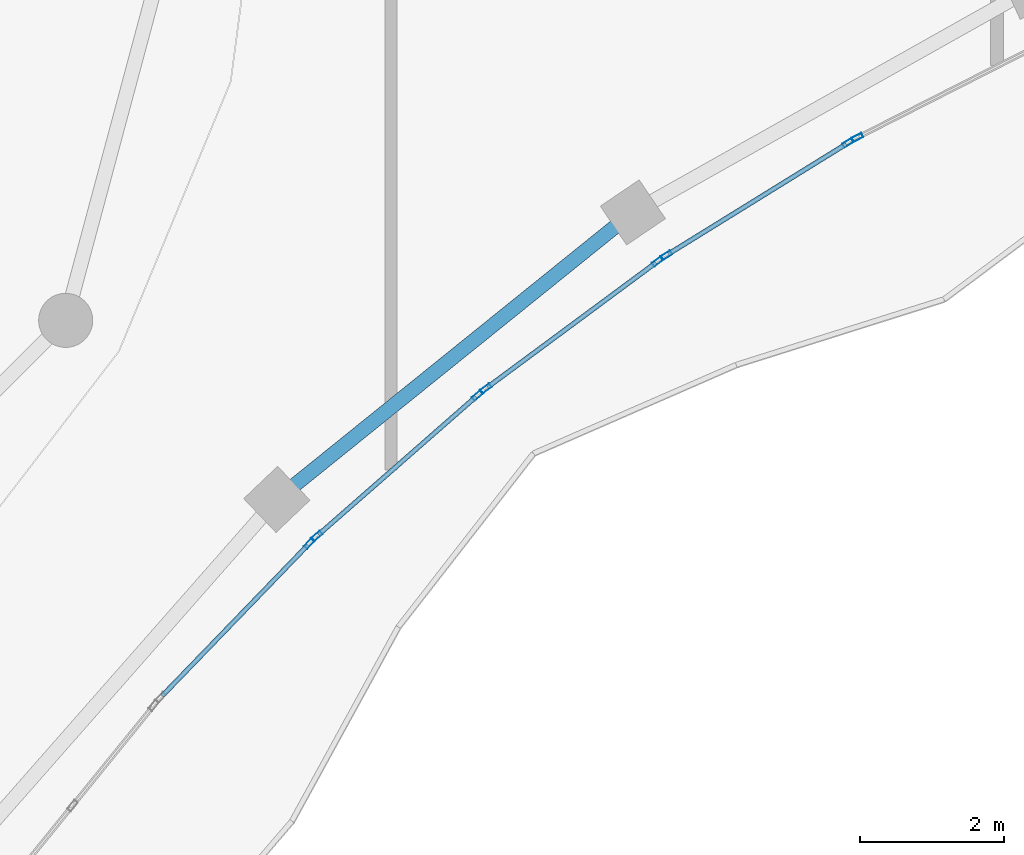
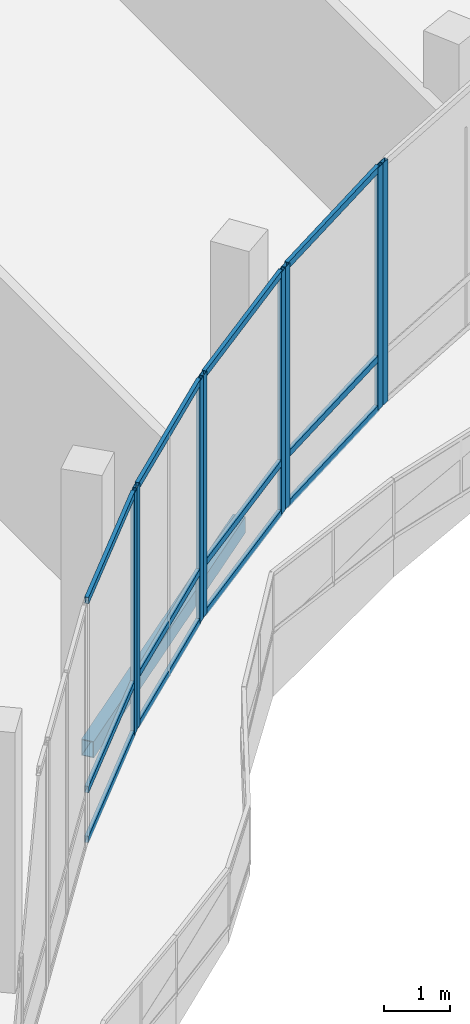
# One storey, part 52 of 155: 20 members, 1 beam, 5 elements without a shape of their own.
"""IFC4 building model written with IfcOpenShell, lengths in metres."""

from ifc_helpers import new_model, si_unit, direction, frame, origin, origin_2d, place, context, subcontext, project, spatial, hollow_rectangle, extrude, material, material_profile, profile_set, type_object, element, aggregate, save


model = new_model("IFC4")

# Units and contexts
model_context = context("Model", 3, precision=1e-05, world=origin(), true_north=direction((0.0, 1.0)))
body_context = subcontext(model_context, "Body", "Model", "MODEL_VIEW")
ifc_project = project(units=[si_unit("LENGTHUNIT", "METRE"), si_unit("AREAUNIT", "SQUARE_METRE"), si_unit("VOLUMEUNIT", "CUBIC_METRE"), si_unit("PLANEANGLEUNIT", "RADIAN"), si_unit("MASSUNIT", "GRAM", prefix="KILO")], contexts=[model_context])

# Site, building, storey
site_placement = place(None, origin())
site = spatial("IfcSite", under=ifc_project, at=site_placement, CompositionType="ELEMENT")
building_placement = place(site_placement, origin())
building = spatial("IfcBuilding", under=site, at=building_placement, Name="Selatvlak General Hospital", CompositionType="ELEMENT")
storey_placement = place(building_placement, frame((0.0, 0.0, 10.199951171875)))
storey = spatial("IfcBuildingStorey", under=building, at=storey_placement, Name="L02", CompositionType="ELEMENT", Elevation=10.199951171875)

# Beam
ifc_material_1 = material(Name="Steel S355", Category="steel")
ifc_material_profile_1 = material_profile(ifc_material_1, hollow_rectangle(XDim=0.199951171875, YDim=0.300048828125, WallThickness=0.011962890625, at=origin_2d()), Name="RHS 300x200x12")
ifc_profile_set_1 = profile_set([ifc_material_profile_1], Name="Steel S355")
beam_type = type_object("IfcBeamType", Name="BM-SP3", PredefinedType="SPANDREL", material=ifc_profile_set_1)
beam_placement = place(storey_placement, frame((113.614990234375, 44.19189453125, -0.5048828125), z_axis=(0.778568955278, 0.627559066444, 0.0), x_axis=(-0.627559066444, 0.778568955278, 0.0)))
element("IfcBeam", 1, at=beam_placement, inside=storey, type_object=beam_type, Name="Beam BMR-L02-1148", PredefinedType="SPANDREL", context=body_context, shape_type="SweptSolid", body=[
    extrude(hollow_rectangle(XDim=0.199951171875, YDim=0.300048828125, WallThickness=0.011962890625, at=origin_2d()), origin(), (0.0, 0.0, 1.0), 6.34228515625),
])

# Curtain wall, member
ifc_material_2 = material(Name="Solar-control Low-E double glazing", Category="glass")
curtain_wall_type_1 = type_object("IfcCurtainWallType", Name="CW-CW-01", PredefinedType="USERDEFINED", material=ifc_material_2)
curtain_wall_1_placement = place(storey_placement, origin())
curtain_wall_1 = element("IfcCurtainWall", 2, at=curtain_wall_1_placement, inside=storey, type_object=curtain_wall_type_1, Name="Glazed facade curtain wall CW-L02-0289", ObjectType="UNITISED CURTAIN WALL", PredefinedType="USERDEFINED")
ifc_material_3 = material(Name="Dark anodised aluminium mullion", Category="aluminium")
ifc_material_profile_2 = material_profile(ifc_material_3, hollow_rectangle(XDim=0.06494140625, YDim=0.159912109375, WallThickness=0.00390625, at=origin_2d()), Name="AL-MUL 65x160x4")
ifc_profile_set_2 = profile_set([ifc_material_profile_2], Name="Dark anodised aluminium mullion")
member_type_1 = type_object("IfcMemberType", Name="CWM-01", PredefinedType="MULLION", material=ifc_profile_set_2)
member_1_placement = place(storey_placement, frame((121.6640625, 49.209716796875, 0.0), z_axis=(0.0, 0.0, 1.0), x_axis=(0.453135718509, -0.89144154077, 0.0)))
member_1 = element("IfcMember", 3, at=member_1_placement, type_object=member_type_1, Name="CW-01 mullion 2", PredefinedType="MULLION", context=body_context, shape_type="SweptSolid", body=[
    extrude(hollow_rectangle(XDim=0.06494140625, YDim=0.159912109375, WallThickness=0.00390625, at=origin_2d()), origin(), (0.0, 0.0, 1.0), 4.4599609375),
])
aggregate(curtain_wall_1, [member_1])

# Curtain wall, members
curtain_wall_type_2 = type_object("IfcCurtainWallType", Name="CW-CW-02", PredefinedType="USERDEFINED", material=ifc_material_2)
curtain_wall_2_placement = place(storey_placement, origin())
curtain_wall_2 = element("IfcCurtainWall", 4, at=curtain_wall_2_placement, inside=storey, type_object=curtain_wall_type_2, Name="Glazed facade curtain wall CW-L02-0290", ObjectType="UNITISED CURTAIN WALL", PredefinedType="USERDEFINED")
member_2_placement = place(storey_placement, frame((121.538330078125, 49.136962890625, 0.0), z_axis=(0.0, 0.0, 1.0), x_axis=(0.526047826435, -0.850454986641, 0.0)))
member_2 = element("IfcMember", 5, at=member_2_placement, type_object=member_type_1, Name="CW-02 mullion 1", PredefinedType="MULLION", context=body_context, shape_type="SweptSolid", body=[
    extrude(hollow_rectangle(XDim=0.06494140625, YDim=0.159912109375, WallThickness=0.00390625, at=origin_2d()), origin(), (0.0, 0.0, 1.0), 4.4599609375),
])
member_3_placement = place(storey_placement, frame((119.0166015625, 47.5771484375, 0.0), z_axis=(0.0, 0.0, 1.0), x_axis=(0.526047826435, -0.850454986641, 0.0)))
member_3 = element("IfcMember", 6, at=member_3_placement, type_object=member_type_1, Name="CW-02 mullion 2", PredefinedType="MULLION", context=body_context, shape_type="SweptSolid", body=[
    extrude(hollow_rectangle(XDim=0.06494140625, YDim=0.159912109375, WallThickness=0.00390625, at=origin_2d()), origin(), (0.0, 0.0, 1.0), 4.4599609375),
])

curtain_wall_3_placement = place(storey_placement, origin())
curtain_wall_3 = element("IfcCurtainWall", 7, at=curtain_wall_3_placement, inside=storey, type_object=curtain_wall_type_1, Name="Glazed facade curtain wall CW-L02-0291", ObjectType="UNITISED CURTAIN WALL", PredefinedType="USERDEFINED")
member_4_placement = place(storey_placement, frame((118.89794921875, 47.49365234375, 0.0), z_axis=(0.0, 0.0, 1.0), x_axis=(0.594604312607, -0.804018477045, 0.0)))
member_4 = element("IfcMember", 8, at=member_4_placement, type_object=member_type_1, Name="CW-01 mullion 1", PredefinedType="MULLION", context=body_context, shape_type="SweptSolid", body=[
    extrude(hollow_rectangle(XDim=0.06494140625, YDim=0.159912109375, WallThickness=0.00390625, at=origin_2d()), origin(), (0.0, 0.0, 1.0), 4.4599609375),
])
member_5_placement = place(storey_placement, frame((116.51220703125, 45.729248046875, 0.0), z_axis=(0.0, 0.0, 1.0), x_axis=(0.594604312607, -0.804018477045, 0.0)))
member_5 = element("IfcMember", 9, at=member_5_placement, type_object=member_type_1, Name="CW-01 mullion 2", PredefinedType="MULLION", context=body_context, shape_type="SweptSolid", body=[
    extrude(hollow_rectangle(XDim=0.06494140625, YDim=0.159912109375, WallThickness=0.00390625, at=origin_2d()), origin(), (0.0, 0.0, 1.0), 4.4599609375),
])

curtain_wall_4_placement = place(storey_placement, origin())
curtain_wall_4 = element("IfcCurtainWall", 10, at=curtain_wall_4_placement, inside=storey, type_object=curtain_wall_type_2, Name="Glazed facade curtain wall CW-L02-0292", ObjectType="UNITISED CURTAIN WALL", PredefinedType="USERDEFINED")
member_6_placement = place(storey_placement, frame((116.400634765625, 45.636474609375, 0.0), z_axis=(0.0, 0.0, 1.0), x_axis=(0.658878257256, -0.752249587647, 0.0)))
member_6 = element("IfcMember", 11, at=member_6_placement, type_object=member_type_1, Name="CW-02 mullion 1", PredefinedType="MULLION", context=body_context, shape_type="SweptSolid", body=[
    extrude(hollow_rectangle(XDim=0.06494140625, YDim=0.159912109375, WallThickness=0.00390625, at=origin_2d()), origin(), (0.0, 0.0, 1.0), 4.4599609375),
])
member_7_placement = place(storey_placement, frame((114.16943359375, 43.682373046875, 0.0), z_axis=(0.0, 0.0, 1.0), x_axis=(0.658878257256, -0.752249587647, 0.0)))
member_7 = element("IfcMember", 12, at=member_7_placement, type_object=member_type_1, Name="CW-02 mullion 2", PredefinedType="MULLION", context=body_context, shape_type="SweptSolid", body=[
    extrude(hollow_rectangle(XDim=0.06494140625, YDim=0.159912109375, WallThickness=0.00390625, at=origin_2d()), origin(), (0.0, 0.0, 1.0), 4.4599609375),
])

# Curtain wall, member
curtain_wall_5_placement = place(storey_placement, origin())
curtain_wall_5 = element("IfcCurtainWall", 13, at=curtain_wall_5_placement, inside=storey, type_object=curtain_wall_type_1, Name="Glazed facade curtain wall CW-L02-0293", ObjectType="UNITISED CURTAIN WALL", PredefinedType="USERDEFINED")
member_8_placement = place(storey_placement, frame((114.06640625, 43.58056640625, 0.0), z_axis=(0.0, 0.0, 1.0), x_axis=(0.719196973261, -0.694806241805, 0.0)))
member_8 = element("IfcMember", 14, at=member_8_placement, type_object=member_type_1, Name="CW-01 mullion 1", PredefinedType="MULLION", context=body_context, shape_type="SweptSolid", body=[
    extrude(hollow_rectangle(XDim=0.06494140625, YDim=0.159912109375, WallThickness=0.00390625, at=origin_2d()), origin(), (0.0, 0.0, 1.0), 4.4599609375),
])

# Member
ifc_material_profile_3 = material_profile(ifc_material_3, hollow_rectangle(XDim=0.06494140625, YDim=0.1201171875, WallThickness=0.00390625, at=origin_2d()), Name="AL-TRN 65x120x4")
ifc_profile_set_3 = profile_set([ifc_material_profile_3], Name="Dark anodised aluminium mullion")
member_type_2 = type_object("IfcMemberType", Name="CWT-01", PredefinedType="USERDEFINED", material=ifc_profile_set_3)
member_9_placement = place(storey_placement, frame((121.5107421875, 49.119873046875, 0.032470703125), z_axis=(-0.850462425048, -0.526035800666, 0.0), x_axis=(0.526035800666, -0.850462425048, 0.0)))
member_9 = element("IfcMember", 15, at=member_9_placement, type_object=member_type_2, Name="CW-02 transom 1.1", ObjectType="TRANSOM", PredefinedType="USERDEFINED", context=body_context, shape_type="SweptSolid", body=[
    extrude(hollow_rectangle(XDim=0.06494140625, YDim=0.1201171875, WallThickness=0.00390625, at=origin_2d()), origin(), (0.0, 0.0, 1.0), 2.900146484375),
])

member_10_placement = place(storey_placement, frame((121.5107421875, 49.119873046875, 0.949951171875), z_axis=(-0.850462425048, -0.526035800666, 0.0), x_axis=(0.526035800666, -0.850462425048, 0.0)))
member_10 = element("IfcMember", 16, at=member_10_placement, type_object=member_type_2, Name="CW-02 transom 1.2", ObjectType="TRANSOM", PredefinedType="USERDEFINED", context=body_context, shape_type="SweptSolid", body=[
    extrude(hollow_rectangle(XDim=0.06494140625, YDim=0.1201171875, WallThickness=0.00390625, at=origin_2d()), origin(), (0.0, 0.0, 1.0), 2.900146484375),
])

member_11_placement = place(storey_placement, frame((121.5107421875, 49.119873046875, 4.427490234375), z_axis=(-0.850462425048, -0.526035800666, 0.0), x_axis=(0.526035800666, -0.850462425048, 0.0)))
member_11 = element("IfcMember", 17, at=member_11_placement, type_object=member_type_2, Name="CW-02 transom 1.3", ObjectType="TRANSOM", PredefinedType="USERDEFINED", context=body_context, shape_type="SweptSolid", body=[
    extrude(hollow_rectangle(XDim=0.06494140625, YDim=0.1201171875, WallThickness=0.00390625, at=origin_2d()), origin(), (0.0, 0.0, 1.0), 2.900146484375),
])

aggregate(curtain_wall_2, [member_2, member_3, member_9, member_10, member_11])

member_12_placement = place(storey_placement, frame((118.871826171875, 47.474365234375, 0.032470703125), z_axis=(-0.80399954052, -0.594629917549, 0.0), x_axis=(0.594629917549, -0.80399954052, 0.0)))
member_12 = element("IfcMember", 18, at=member_12_placement, type_object=member_type_2, Name="CW-01 transom 1.1", ObjectType="TRANSOM", PredefinedType="USERDEFINED", context=body_context, shape_type="SweptSolid", body=[
    extrude(hollow_rectangle(XDim=0.06494140625, YDim=0.1201171875, WallThickness=0.00390625, at=origin_2d()), origin(), (0.0, 0.0, 1.0), 2.90234375),
])

member_13_placement = place(storey_placement, frame((118.871826171875, 47.474365234375, 0.949951171875), z_axis=(-0.80399954052, -0.594629917549, 0.0), x_axis=(0.594629917549, -0.80399954052, 0.0)))
member_13 = element("IfcMember", 19, at=member_13_placement, type_object=member_type_2, Name="CW-01 transom 1.2", ObjectType="TRANSOM", PredefinedType="USERDEFINED", context=body_context, shape_type="SweptSolid", body=[
    extrude(hollow_rectangle(XDim=0.06494140625, YDim=0.1201171875, WallThickness=0.00390625, at=origin_2d()), origin(), (0.0, 0.0, 1.0), 2.90234375),
])

member_14_placement = place(storey_placement, frame((118.871826171875, 47.474365234375, 4.427490234375), z_axis=(-0.80399954052, -0.594629917549, 0.0), x_axis=(0.594629917549, -0.80399954052, 0.0)))
member_14 = element("IfcMember", 20, at=member_14_placement, type_object=member_type_2, Name="CW-01 transom 1.3", ObjectType="TRANSOM", PredefinedType="USERDEFINED", context=body_context, shape_type="SweptSolid", body=[
    extrude(hollow_rectangle(XDim=0.06494140625, YDim=0.1201171875, WallThickness=0.00390625, at=origin_2d()), origin(), (0.0, 0.0, 1.0), 2.90234375),
])

aggregate(curtain_wall_3, [member_4, member_5, member_12, member_13, member_14])

member_15_placement = place(storey_placement, frame((116.376220703125, 45.615234375, 0.032470703125), z_axis=(-0.752269034196, -0.658856054225, 0.0), x_axis=(0.658856054225, -0.752269034196, 0.0)))
member_15 = element("IfcMember", 21, at=member_15_placement, type_object=member_type_2, Name="CW-02 transom 1.1", ObjectType="TRANSOM", PredefinedType="USERDEFINED", context=body_context, shape_type="SweptSolid", body=[
    extrude(hollow_rectangle(XDim=0.06494140625, YDim=0.1201171875, WallThickness=0.00390625, at=origin_2d()), origin(), (0.0, 0.0, 1.0), 2.901123046875),
])

member_16_placement = place(storey_placement, frame((116.376220703125, 45.615234375, 0.949951171875), z_axis=(-0.752269034196, -0.658856054225, 0.0), x_axis=(0.658856054225, -0.752269034196, 0.0)))
member_16 = element("IfcMember", 22, at=member_16_placement, type_object=member_type_2, Name="CW-02 transom 1.2", ObjectType="TRANSOM", PredefinedType="USERDEFINED", context=body_context, shape_type="SweptSolid", body=[
    extrude(hollow_rectangle(XDim=0.06494140625, YDim=0.1201171875, WallThickness=0.00390625, at=origin_2d()), origin(), (0.0, 0.0, 1.0), 2.901123046875),
])

member_17_placement = place(storey_placement, frame((116.376220703125, 45.615234375, 4.427490234375), z_axis=(-0.752269034196, -0.658856054225, 0.0), x_axis=(0.658856054225, -0.752269034196, 0.0)))
member_17 = element("IfcMember", 23, at=member_17_placement, type_object=member_type_2, Name="CW-02 transom 1.3", ObjectType="TRANSOM", PredefinedType="USERDEFINED", context=body_context, shape_type="SweptSolid", body=[
    extrude(hollow_rectangle(XDim=0.06494140625, YDim=0.1201171875, WallThickness=0.00390625, at=origin_2d()), origin(), (0.0, 0.0, 1.0), 2.901123046875),
])

aggregate(curtain_wall_4, [member_6, member_7, member_15, member_16, member_17])

member_18_placement = place(storey_placement, frame((114.0439453125, 43.557373046875, 0.032470703125), z_axis=(-0.694812020929, -0.719191390085, 0.0), x_axis=(0.719191390085, -0.694812020929, 0.0)))
member_18 = element("IfcMember", 24, at=member_18_placement, type_object=member_type_2, Name="CW-01 transom 1.1", ObjectType="TRANSOM", PredefinedType="USERDEFINED", context=body_context, shape_type="SweptSolid", body=[
    extrude(hollow_rectangle(XDim=0.06494140625, YDim=0.1201171875, WallThickness=0.00390625, at=origin_2d()), origin(), (0.0, 0.0, 1.0), 2.904052734375),
])

member_19_placement = place(storey_placement, frame((114.0439453125, 43.557373046875, 0.949951171875), z_axis=(-0.694812020929, -0.719191390085, 0.0), x_axis=(0.719191390085, -0.694812020929, 0.0)))
member_19 = element("IfcMember", 25, at=member_19_placement, type_object=member_type_2, Name="CW-01 transom 1.2", ObjectType="TRANSOM", PredefinedType="USERDEFINED", context=body_context, shape_type="SweptSolid", body=[
    extrude(hollow_rectangle(XDim=0.06494140625, YDim=0.1201171875, WallThickness=0.00390625, at=origin_2d()), origin(), (0.0, 0.0, 1.0), 2.904052734375),
])

member_20_placement = place(storey_placement, frame((114.0439453125, 43.557373046875, 4.427490234375), z_axis=(-0.694812020929, -0.719191390085, 0.0), x_axis=(0.719191390085, -0.694812020929, 0.0)))
member_20 = element("IfcMember", 26, at=member_20_placement, type_object=member_type_2, Name="CW-01 transom 1.3", ObjectType="TRANSOM", PredefinedType="USERDEFINED", context=body_context, shape_type="SweptSolid", body=[
    extrude(hollow_rectangle(XDim=0.06494140625, YDim=0.1201171875, WallThickness=0.00390625, at=origin_2d()), origin(), (0.0, 0.0, 1.0), 2.904052734375),
])

aggregate(curtain_wall_5, [member_8, member_18, member_19, member_20])

save(model, "model.ifc")
